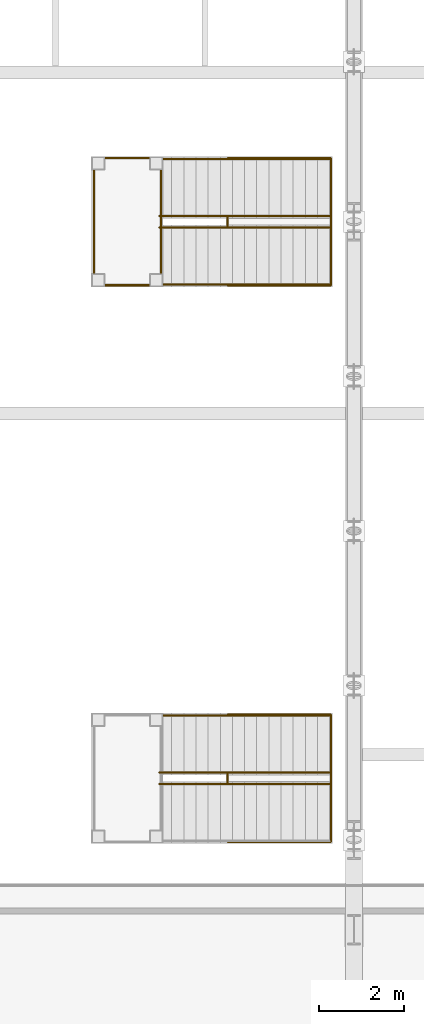
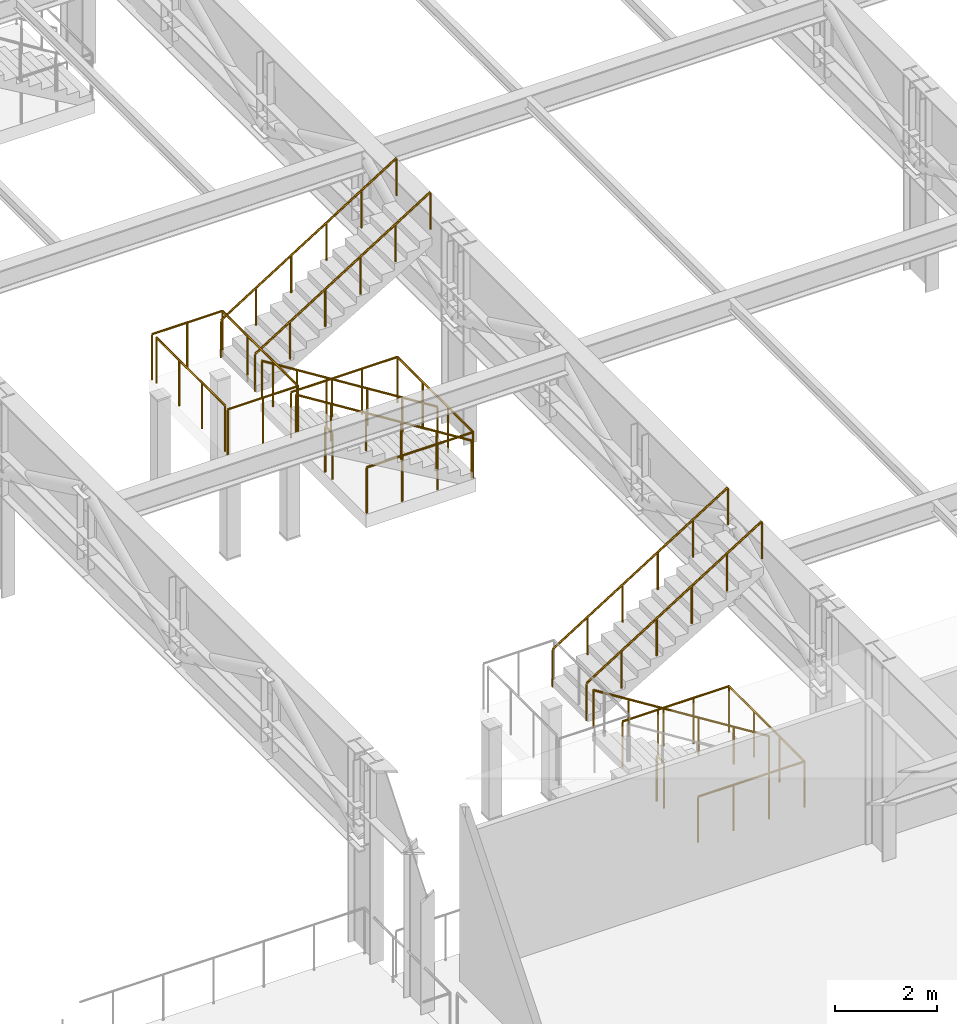
# One storey, part 122 of 143: 13 railings.
"""IFC4 building model written with IfcOpenShell, lengths in metres."""

import ifcopenshell
import ifcopenshell.guid

model = None  # the IFC model being written
_history = None  # IfcOwnerHistory: only IFC2X3 demands one
_inside = {}  # id of a spatial element -> (the spatial element, [elements in it])
_under = {}  # id of a project, library or spatial element -> (it, [spatial elements below it])
_declared = {}  # id of a project -> (the project, [libraries it declares])
_typed = {}  # id of a type object -> (the type object, [elements of that type])
_made_of = {}  # id of a material, layer set ... -> (it, [elements and type objects made of it])


def new_model(schema):
    """Start an empty IFC model of exactly this schema.

    Asked for "IFC4X3", IfcOpenShell would pick the latest addendum, in which some entities
    have other attributes; the version numbers below select the first issue.
    IFC2X3 requires an IfcOwnerHistory on every rooted entity: one is made here for all.
    """
    global model, _history
    if schema == "IFC4X3":
        model = ifcopenshell.file(schema_version=(4, 3, 0, 0))
    else:
        model = ifcopenshell.file(schema=schema)
    _inside.clear()
    _under.clear()
    _declared.clear()
    _typed.clear()
    _made_of.clear()
    _history = None
    if model.schema == "IFC2X3":
        org = make("IfcOrganization", Name="unknown")
        user = make(
            "IfcPersonAndOrganization",
            ThePerson=make("IfcPerson", FamilyName="unknown"),
            TheOrganization=org,
        )
        app = make(
            "IfcApplication",
            ApplicationDeveloper=org,
            Version="unknown",
            ApplicationFullName="unknown",
            ApplicationIdentifier="unknown",
        )
        _history = make(
            "IfcOwnerHistory",
            OwningUser=user,
            OwningApplication=app,
            ChangeAction="ADDED",
            CreationDate=0,
        )
    return model


def make(cls, **values):
    """One entity of the class cls with the attributes given. An attribute that is None is left unset."""
    return model.create_entity(
        cls, **{name: value for name, value in values.items() if value is not None}
    )


def rooted(cls, **values):
    """An entity with a GlobalId (a new one), such as an element, a storey or a relation."""
    return make(cls, GlobalId=ifcopenshell.guid.new(), OwnerHistory=_history, **values)


def si_unit(unit_type, name, prefix=None):
    """IfcSIUnit, for example si_unit("LENGTHUNIT", "METRE", prefix="MILLI")."""
    return make("IfcSIUnit", UnitType=unit_type, Prefix=prefix, Name=name)


def assignment(units):
    """IfcUnitAssignment: the units of a project."""
    return None if units is None else make("IfcUnitAssignment", Units=units)


def point(xyz):
    """IfcCartesianPoint."""
    return None if xyz is None else make("IfcCartesianPoint", Coordinates=xyz)


def direction(xyz):
    """IfcDirection."""
    return None if xyz is None else make("IfcDirection", DirectionRatios=xyz)


def frame(location, z_axis=None, x_axis=None):
    """IfcAxis2Placement3D, a coordinate frame: its origin and axes. An axis left out is left unset."""
    return make(
        "IfcAxis2Placement3D",
        Location=point(location),
        Axis=direction(z_axis),
        RefDirection=direction(x_axis),
    )


def frame_2d(location, x_axis=None):
    """IfcAxis2Placement2D, a coordinate frame in the plane: its origin and x axis."""
    return make(
        "IfcAxis2Placement2D", Location=point(location), RefDirection=direction(x_axis)
    )


def origin():
    """The frame at (0, 0, 0) with its axes left unset."""
    return frame((0.0, 0.0, 0.0))


def origin_2d():
    """The frame at (0, 0) in the plane with its x axis left unset."""
    return frame_2d((0.0, 0.0))


def place(relative_to, where):
    """IfcLocalPlacement: puts the frame where relative to a parent placement (None: the world)."""
    return make(
        "IfcLocalPlacement", PlacementRelTo=relative_to, RelativePlacement=where
    )


def context(
    kind, dimensions, precision=None, world=None, true_north=None, identifier=None
):
    """IfcGeometricRepresentationContext, for example the 3D "Model" context."""
    return make(
        "IfcGeometricRepresentationContext",
        ContextIdentifier=identifier,
        ContextType=kind,
        CoordinateSpaceDimension=dimensions,
        Precision=precision,
        WorldCoordinateSystem=world,
        TrueNorth=true_north,
    )


def subcontext(parent, identifier, kind, view, scale=None):
    """IfcGeometricRepresentationSubContext, for example "Body" below "Model"."""
    return make(
        "IfcGeometricRepresentationSubContext",
        ContextIdentifier=identifier,
        ContextType=kind,
        ParentContext=parent,
        TargetScale=scale,
        TargetView=view,
    )


def project(units=None, contexts=None):
    """IfcProject with its units and contexts."""
    return rooted(
        "IfcProject",
        Name="project",
        RepresentationContexts=contexts,
        UnitsInContext=assignment(units),
    )


def spatial(cls, under=None, at=None, **own):
    """A site, building, storey or space (cls), placed at a placement, below another one or the project."""
    s = rooted(cls, ObjectPlacement=at, **own)
    if under is not None:
        _under.setdefault(under.id(), (under, []))[1].append(s)
    return s


def profile(cls, at=None, kind="AREA", **sizes):
    """A parametric profile (cls). Its sizes go by their IFC names, for example OverallWidth=200.0."""
    return make(cls, ProfileType=kind, Position=at, **sizes)


def circle(**sizes):
    """IfcCircleProfileDef."""
    return profile("IfcCircleProfileDef", **sizes)


def extrude(swept, where, along, depth):
    """IfcExtrudedAreaSolid: the profile swept, set in the frame where, extruded along a direction by depth."""
    return make(
        "IfcExtrudedAreaSolid",
        SweptArea=swept,
        Position=where,
        ExtrudedDirection=direction(along),
        Depth=depth,
    )


def shape(context_of_items, identifier, shape_type, items):
    """IfcShapeRepresentation: the items that make up one representation, for example the "Body"."""
    return make(
        "IfcShapeRepresentation",
        ContextOfItems=context_of_items,
        RepresentationIdentifier=identifier,
        RepresentationType=shape_type,
        Items=items,
    )


def material(Name=None, Category=None):
    """IfcMaterial."""
    return make("IfcMaterial", Name=Name, Category=Category)


def made_of(thing, what):
    """Note that an element or type object is made of a material, layer set ...; save() writes the relation."""
    if what is not None:
        _made_of.setdefault(what.id(), (what, []))[1].append(thing)
    return thing


def type_object(cls, material=None, **own):
    """A type object (cls), such as IfcWallType, which elements share."""
    return made_of(rooted(cls, **own), material)


def element(
    cls,
    number,
    at=None,
    inside=None,
    cuts=None,
    type_object=None,
    material=None,
    context=None,
    identifier="Body",
    shape_type=None,
    held_by="IfcProductDefinitionShape",
    body=None,
    shapes=None,
    **own,
):
    """One element of the class cls, such as IfcWall. Its Tag is "e" and its number.

    at: its placement. inside: the storey or other place that contains it. cuts: it is an
    opening in that element (IfcRelVoidsElement). A single representation is given by context,
    identifier, shape_type and body (its items); several are given by shapes. held_by: the class
    of the entity that holds the representations. save() writes the other relations.
    """
    e = rooted(cls, Tag="e%d" % number, ObjectPlacement=at, **own)
    if body is not None:
        shapes = [shape(context, identifier, shape_type, body)]
    if shapes is not None:
        e.Representation = make(held_by, Representations=shapes)
    if inside is not None:
        _inside.setdefault(inside.id(), (inside, []))[1].append(e)
    if cuts is not None:
        rooted(
            "IfcRelVoidsElement", RelatingBuildingElement=cuts, RelatedOpeningElement=e
        )
    if type_object is not None:
        _typed.setdefault(type_object.id(), (type_object, []))[1].append(e)
    return made_of(e, material)


def aggregate(whole, parts):
    """IfcRelAggregates: a whole, such as a stair, and the parts it consists of."""
    return rooted("IfcRelAggregates", RelatingObject=whole, RelatedObjects=parts)


def save(model, path):
    """Write the relations noted so far, then the file.

    IfcRelAggregates (storeys below a building ...), IfcRelContainedInSpatialStructure (elements
    in a storey), IfcRelDefinesByType, IfcRelAssociatesMaterial and IfcRelDeclares: one each for
    every whole, place, type object, material and project.
    """
    for whole, parts in _under.values():
        aggregate(whole, parts)
    for where, things in _inside.values():
        rooted(
            "IfcRelContainedInSpatialStructure",
            RelatedElements=things,
            RelatingStructure=where,
        )
    for kind, things in _typed.values():
        rooted("IfcRelDefinesByType", RelatedObjects=things, RelatingType=kind)
    for what, things in _made_of.values():
        rooted("IfcRelAssociatesMaterial", RelatedObjects=things, RelatingMaterial=what)
    for by, libraries in _declared.values():
        rooted("IfcRelDeclares", RelatingContext=by, RelatedDefinitions=libraries)
    model.write(path)


model = new_model("IFC4")

# Units and contexts
model_context = context("Model", 3, precision=1e-05, world=origin(), true_north=direction((0.0, 1.0)))
body_context = subcontext(model_context, "Body", "Model", "MODEL_VIEW")
ifc_project = project(units=[si_unit("LENGTHUNIT", "METRE"), si_unit("AREAUNIT", "SQUARE_METRE"), si_unit("VOLUMEUNIT", "CUBIC_METRE"), si_unit("PLANEANGLEUNIT", "RADIAN"), si_unit("MASSUNIT", "GRAM", prefix="KILO")], contexts=[model_context])

# Site, building, storey
site_placement = place(None, origin())
site = spatial("IfcSite", under=ifc_project, at=site_placement, CompositionType="ELEMENT")
building_placement = place(site_placement, origin())
building = spatial("IfcBuilding", under=site, at=building_placement, Name="Marlcrest Central Station", CompositionType="ELEMENT")
storey_placement = place(building_placement, frame((0.0, 0.0, 4.800048828125)))
storey = spatial("IfcBuildingStorey", under=building, at=storey_placement, Name="L01", CompositionType="ELEMENT", Elevation=4.800048828125)

# Railings
ifc_material_1 = material(Name="Stainless steel and laminated glass concourse balustrade", Category="steel")
railing_type_1 = type_object("IfcRailingType", Name="GR-02", PredefinedType="BALUSTRADE", material=ifc_material_1)
railing_1_placement = place(storey_placement, frame((94.5400390625, 36.4599609375, 0.0)))
element("IfcRailing", 1, at=railing_1_placement, inside=storey, type_object=railing_type_1, Name="hr-L01-00001", PredefinedType="BALUSTRADE", context=body_context, shape_type="SweptSolid", body=[
    extrude(circle(Radius=0.02392578125, at=origin_2d()), frame((0.0, 0.0, 1.09619140625), z_axis=(1.0, 0.0, 0.0), x_axis=(0.0, 1.0, 0.0)), (0.0, 0.0, 1.0), 2.419921875),
    extrude(circle(Radius=0.02392578125, at=origin_2d()), frame((2.419921875, 0.0, 1.09619140625), z_axis=(0.0, 1.0, 0.0), x_axis=(-1.0, 0.0, 0.0)), (0.0, 0.0, 1.0), 2.97998046875),
    extrude(circle(Radius=0.02392578125, at=origin_2d()), frame((2.419921875, 2.97998046875, 1.09619140625), z_axis=(-1.0, 0.0, 0.0), x_axis=(0.0, -1.0, 0.0)), (0.0, 0.0, 1.0), 2.419921875),
    extrude(circle(Radius=0.02099609375, at=origin_2d()), origin(), (0.0, 0.0, 1.0), 1.072021484375),
    extrude(circle(Radius=0.02099609375, at=origin_2d()), frame((0.806640625, 0.0, 0.0)), (0.0, 0.0, 1.0), 1.072021484375),
    extrude(circle(Radius=0.02099609375, at=origin_2d()), frame((1.61328125, 0.0, 0.0)), (0.0, 0.0, 1.0), 1.072021484375),
    extrude(circle(Radius=0.02099609375, at=origin_2d()), frame((2.419921875, 0.0, 0.0)), (0.0, 0.0, 1.0), 1.072021484375),
    extrude(circle(Radius=0.02099609375, at=origin_2d()), frame((2.419921875, 0.993408203125, 0.0)), (0.0, 0.0, 1.0), 1.072021484375),
    extrude(circle(Radius=0.02099609375, at=origin_2d()), frame((2.419921875, 1.986572265625, 0.0)), (0.0, 0.0, 1.0), 1.072021484375),
    extrude(circle(Radius=0.02099609375, at=origin_2d()), frame((2.419921875, 2.97998046875, 0.0)), (0.0, 0.0, 1.0), 1.072021484375),
    extrude(circle(Radius=0.02099609375, at=origin_2d()), frame((1.61328125, 2.97998046875, 0.0)), (0.0, 0.0, 1.0), 1.072021484375),
    extrude(circle(Radius=0.02099609375, at=origin_2d()), frame((0.806640625, 2.97998046875, 0.0)), (0.0, 0.0, 1.0), 1.072021484375),
    extrude(circle(Radius=0.02099609375, at=origin_2d()), frame((0.0, 2.97998046875, 0.0)), (0.0, 0.0, 1.0), 1.072021484375),
])
railing_2_placement = place(storey_placement, frame((94.5400390625, 37.81005859375, 0.0)))
element("IfcRailing", 2, at=railing_2_placement, inside=storey, type_object=railing_type_1, Name="hr-L01-00002", PredefinedType="BALUSTRADE", context=body_context, shape_type="SweptSolid", body=[
    extrude(circle(Radius=0.02392578125, at=origin_2d()), frame((0.0, 0.0, 1.09619140625), z_axis=(0.0, 1.0, 0.0), x_axis=(-1.0, 0.0, 0.0)), (0.0, 0.0, 1.0), 0.280029296875),
    extrude(circle(Radius=0.02099609375, at=origin_2d()), origin(), (0.0, 0.0, 1.0), 1.072021484375),
    extrude(circle(Radius=0.02099609375, at=origin_2d()), frame((0.0, 0.280029296875, 0.0)), (0.0, 0.0, 1.0), 1.072021484375),
])
railing_3_placement = place(storey_placement, frame((94.5400390625, 49.510009765625, 0.0)))
element("IfcRailing", 3, at=railing_3_placement, inside=storey, type_object=railing_type_1, Name="hr-L01-00035", PredefinedType="BALUSTRADE", context=body_context, shape_type="SweptSolid", body=[
    extrude(circle(Radius=0.02392578125, at=origin_2d()), frame((0.0, 0.0, 1.09619140625), z_axis=(1.0, 0.0, 0.0), x_axis=(0.0, 1.0, 0.0)), (0.0, 0.0, 1.0), 2.419921875),
    extrude(circle(Radius=0.02392578125, at=origin_2d()), frame((2.419921875, 0.0, 1.09619140625), z_axis=(0.0, 1.0, 0.0), x_axis=(-1.0, 0.0, 0.0)), (0.0, 0.0, 1.0), 2.97998046875),
    extrude(circle(Radius=0.02392578125, at=origin_2d()), frame((2.419921875, 2.97998046875, 1.09619140625), z_axis=(-1.0, 0.0, 0.0), x_axis=(0.0, -1.0, 0.0)), (0.0, 0.0, 1.0), 2.419921875),
    extrude(circle(Radius=0.02099609375, at=origin_2d()), origin(), (0.0, 0.0, 1.0), 1.072021484375),
    extrude(circle(Radius=0.02099609375, at=origin_2d()), frame((0.806640625, 0.0, 0.0)), (0.0, 0.0, 1.0), 1.072021484375),
    extrude(circle(Radius=0.02099609375, at=origin_2d()), frame((1.61328125, 0.0, 0.0)), (0.0, 0.0, 1.0), 1.072021484375),
    extrude(circle(Radius=0.02099609375, at=origin_2d()), frame((2.419921875, 0.0, 0.0)), (0.0, 0.0, 1.0), 1.072021484375),
    extrude(circle(Radius=0.02099609375, at=origin_2d()), frame((2.419921875, 0.993408203125, 0.0)), (0.0, 0.0, 1.0), 1.072021484375),
    extrude(circle(Radius=0.02099609375, at=origin_2d()), frame((2.419921875, 1.986572265625, 0.0)), (0.0, 0.0, 1.0), 1.072021484375),
    extrude(circle(Radius=0.02099609375, at=origin_2d()), frame((2.419921875, 2.97998046875, 0.0)), (0.0, 0.0, 1.0), 1.072021484375),
    extrude(circle(Radius=0.02099609375, at=origin_2d()), frame((1.61328125, 2.97998046875, 0.0)), (0.0, 0.0, 1.0), 1.072021484375),
    extrude(circle(Radius=0.02099609375, at=origin_2d()), frame((0.806640625, 2.97998046875, 0.0)), (0.0, 0.0, 1.0), 1.072021484375),
    extrude(circle(Radius=0.02099609375, at=origin_2d()), frame((0.0, 2.97998046875, 0.0)), (0.0, 0.0, 1.0), 1.072021484375),
])
railing_4_placement = place(storey_placement, frame((94.5400390625, 50.860107421875, 0.0)))
element("IfcRailing", 4, at=railing_4_placement, inside=storey, type_object=railing_type_1, Name="hr-L01-00036", PredefinedType="BALUSTRADE", context=body_context, shape_type="SweptSolid", body=[
    extrude(circle(Radius=0.02392578125, at=origin_2d()), frame((0.0, 0.0, 1.09619140625), z_axis=(0.0, 1.0, 0.0), x_axis=(-1.0, 0.0, 0.0)), (0.0, 0.0, 1.0), 0.27978515625),
    extrude(circle(Radius=0.02099609375, at=origin_2d()), origin(), (0.0, 0.0, 1.0), 1.072021484375),
    extrude(circle(Radius=0.02099609375, at=origin_2d()), frame((0.0, 0.27978515625, 0.0)), (0.0, 0.0, 1.0), 1.072021484375),
])
railing_5_placement = place(storey_placement, frame((91.3798828125, 49.510009765625, 2.5)))
element("IfcRailing", 5, at=railing_5_placement, inside=storey, type_object=railing_type_1, Name="hr-L01-00050", PredefinedType="BALUSTRADE", context=body_context, shape_type="SweptSolid", body=[
    extrude(circle(Radius=0.02392578125, at=origin_2d()), frame((0.0, 0.0, 1.09619140625), z_axis=(1.0, 0.0, 0.0), x_axis=(0.0, 1.0, 0.0)), (0.0, 0.0, 1.0), 1.60009765625),
    extrude(circle(Radius=0.02392578125, at=origin_2d()), frame((1.60009765625, 0.0, 1.09619140625), z_axis=(0.0, 1.0, 0.0), x_axis=(-1.0, 0.0, 0.0)), (0.0, 0.0, 1.0), 2.97998046875),
    extrude(circle(Radius=0.02392578125, at=origin_2d()), frame((1.60009765625, 2.97998046875, 1.09619140625), z_axis=(-1.0, 0.0, 0.0), x_axis=(0.0, -1.0, 0.0)), (0.0, 0.0, 1.0), 1.60009765625),
    extrude(circle(Radius=0.02099609375, at=origin_2d()), origin(), (0.0, 0.0, 1.0), 1.072021484375),
    extrude(circle(Radius=0.02099609375, at=origin_2d()), frame((0.800048828125, 0.0, 0.0)), (0.0, 0.0, 1.0), 1.072021484375),
    extrude(circle(Radius=0.02099609375, at=origin_2d()), frame((1.60009765625, 0.0, 0.0)), (0.0, 0.0, 1.0), 1.072021484375),
    extrude(circle(Radius=0.02099609375, at=origin_2d()), frame((1.60009765625, 0.993408203125, 0.0)), (0.0, 0.0, 1.0), 1.072021484375),
    extrude(circle(Radius=0.02099609375, at=origin_2d()), frame((1.60009765625, 1.986572265625, 0.0)), (0.0, 0.0, 1.0), 1.072021484375),
    extrude(circle(Radius=0.02099609375, at=origin_2d()), frame((1.60009765625, 2.97998046875, 0.0)), (0.0, 0.0, 1.0), 1.072021484375),
    extrude(circle(Radius=0.02099609375, at=origin_2d()), frame((0.800048828125, 2.97998046875, 0.0)), (0.0, 0.0, 1.0), 1.072021484375),
    extrude(circle(Radius=0.02099609375, at=origin_2d()), frame((0.0, 2.97998046875, 0.0)), (0.0, 0.0, 1.0), 1.072021484375),
])
railing_6_placement = place(storey_placement, frame((91.39990234375, 49.64990234375, 2.5)))
element("IfcRailing", 6, at=railing_6_placement, inside=storey, type_object=railing_type_1, Name="hr-L01-00574", PredefinedType="BALUSTRADE", context=body_context, shape_type="SweptSolid", body=[
    extrude(circle(Radius=0.02392578125, at=origin_2d()), frame((0.0, 0.0, 1.09619140625), z_axis=(0.0, 1.0, 0.0), x_axis=(-1.0, 0.0, 0.0)), (0.0, 0.0, 1.0), 2.7001953125),
    extrude(circle(Radius=0.02099609375, at=origin_2d()), origin(), (0.0, 0.0, 1.0), 1.072021484375),
    extrude(circle(Radius=0.02099609375, at=origin_2d()), frame((0.0, 0.900146484375, 0.0)), (0.0, 0.0, 1.0), 1.072021484375),
    extrude(circle(Radius=0.02099609375, at=origin_2d()), frame((0.0, 1.800048828125, 0.0)), (0.0, 0.0, 1.0), 1.072021484375),
    extrude(circle(Radius=0.02099609375, at=origin_2d()), frame((0.0, 2.7001953125, 0.0)), (0.0, 0.0, 1.0), 1.072021484375),
])
ifc_material_2 = material(Name="Brushed stainless steel handrail", Category="steel")
railing_type_2 = type_object("IfcRailingType", Name="HR-01", PredefinedType="HANDRAIL", material=ifc_material_2)
railing_7_placement = place(storey_placement, frame((92.93994140625, 38.0849609375, 2.5)))
element("IfcRailing", 7, at=railing_7_placement, inside=storey, type_object=railing_type_2, Name="hr-L01-00013", PredefinedType="HANDRAIL", context=body_context, shape_type="SweptSolid", body=[
    extrude(circle(Radius=0.02392578125, at=origin_2d()), frame((0.0, 0.0, 0.89599609375), z_axis=(0.847400605549, 0.0, 0.530954059892), x_axis=(0.0, 1.0, 0.0)), (0.0, 0.0, 1.0), 4.70849609375),
    extrude(circle(Radius=0.02099609375, at=origin_2d()), origin(), (0.0, 0.0, 1.0), 0.871826171875),
    extrude(circle(Radius=0.02099609375, at=origin_2d()), frame((0.798095703125, 0.0, 0.5)), (0.0, 0.0, 1.0), 0.871826171875),
    extrude(circle(Radius=0.02099609375, at=origin_2d()), frame((1.595947265625, 0.0, 1.0)), (0.0, 0.0, 1.0), 0.871826171875),
    extrude(circle(Radius=0.02099609375, at=origin_2d()), frame((2.39404296875, 0.0, 1.5)), (0.0, 0.0, 1.0), 0.871826171875),
    extrude(circle(Radius=0.02099609375, at=origin_2d()), frame((3.19189453125, 0.0, 2.0)), (0.0, 0.0, 1.0), 0.871826171875),
    extrude(circle(Radius=0.02099609375, at=origin_2d()), frame((3.989990234375, 0.0, 2.5)), (0.0, 0.0, 1.0), 0.871826171875),
])
railing_8_placement = place(storey_placement, frame((96.929931640625, 37.81494140625, 0.0)))
element("IfcRailing", 8, at=railing_8_placement, inside=storey, type_object=railing_type_2, Name="hr-L01-00014", PredefinedType="HANDRAIL", context=body_context, shape_type="SweptSolid", body=[
    extrude(circle(Radius=0.02392578125, at=origin_2d()), frame((0.0, 0.0, 0.89599609375), z_axis=(-0.847400605549, 0.0, 0.530954059892), x_axis=(0.0, -1.0, 0.0)), (0.0, 0.0, 1.0), 4.70849609375),
    extrude(circle(Radius=0.02099609375, at=origin_2d()), origin(), (0.0, 0.0, 1.0), 0.871826171875),
    extrude(circle(Radius=0.02099609375, at=origin_2d()), frame((-0.798095703125, 0.0, 0.5)), (0.0, 0.0, 1.0), 0.871826171875),
    extrude(circle(Radius=0.02099609375, at=origin_2d()), frame((-1.595947265625, 0.0, 1.0)), (0.0, 0.0, 1.0), 0.871826171875),
    extrude(circle(Radius=0.02099609375, at=origin_2d()), frame((-2.39404296875, 0.0, 1.5)), (0.0, 0.0, 1.0), 0.871826171875),
    extrude(circle(Radius=0.02099609375, at=origin_2d()), frame((-3.19189453125, 0.0, 2.0)), (0.0, 0.0, 1.0), 0.871826171875),
    extrude(circle(Radius=0.02099609375, at=origin_2d()), frame((-3.989990234375, 0.0, 2.5)), (0.0, 0.0, 1.0), 0.871826171875),
])
railing_9_placement = place(storey_placement, frame((92.93994140625, 39.425048828125, 2.5)))
element("IfcRailing", 9, at=railing_9_placement, inside=storey, type_object=railing_type_2, Name="hr-L01-00015", PredefinedType="HANDRAIL", context=body_context, shape_type="SweptSolid", body=[
    extrude(circle(Radius=0.02392578125, at=origin_2d()), frame((0.0, 0.0, 0.89599609375), z_axis=(0.847400605549, 0.0, 0.530954059892), x_axis=(0.0, 1.0, 0.0)), (0.0, 0.0, 1.0), 4.70849609375),
    extrude(circle(Radius=0.02099609375, at=origin_2d()), origin(), (0.0, 0.0, 1.0), 0.871826171875),
    extrude(circle(Radius=0.02099609375, at=origin_2d()), frame((0.798095703125, 0.0, 0.5)), (0.0, 0.0, 1.0), 0.871826171875),
    extrude(circle(Radius=0.02099609375, at=origin_2d()), frame((1.595947265625, 0.0, 1.0)), (0.0, 0.0, 1.0), 0.871826171875),
    extrude(circle(Radius=0.02099609375, at=origin_2d()), frame((2.39404296875, 0.0, 1.5)), (0.0, 0.0, 1.0), 0.871826171875),
    extrude(circle(Radius=0.02099609375, at=origin_2d()), frame((3.19189453125, 0.0, 2.0)), (0.0, 0.0, 1.0), 0.871826171875),
    extrude(circle(Radius=0.02099609375, at=origin_2d()), frame((3.989990234375, 0.0, 2.5)), (0.0, 0.0, 1.0), 0.871826171875),
])
railing_10_placement = place(storey_placement, frame((96.929931640625, 49.52490234375, 0.0)))
element("IfcRailing", 10, at=railing_10_placement, inside=storey, type_object=railing_type_2, Name="hr-L01-00046", PredefinedType="HANDRAIL", context=body_context, shape_type="SweptSolid", body=[
    extrude(circle(Radius=0.02392578125, at=origin_2d()), frame((0.0, 0.0, 0.89599609375), z_axis=(-0.847400605549, 0.0, 0.530954059892), x_axis=(0.0, -1.0, 0.0)), (0.0, 0.0, 1.0), 4.70849609375),
    extrude(circle(Radius=0.02099609375, at=origin_2d()), origin(), (0.0, 0.0, 1.0), 0.871826171875),
    extrude(circle(Radius=0.02099609375, at=origin_2d()), frame((-0.798095703125, 0.0, 0.5)), (0.0, 0.0, 1.0), 0.871826171875),
    extrude(circle(Radius=0.02099609375, at=origin_2d()), frame((-1.595947265625, 0.0, 1.0)), (0.0, 0.0, 1.0), 0.871826171875),
    extrude(circle(Radius=0.02099609375, at=origin_2d()), frame((-2.39404296875, 0.0, 1.5)), (0.0, 0.0, 1.0), 0.871826171875),
    extrude(circle(Radius=0.02099609375, at=origin_2d()), frame((-3.19189453125, 0.0, 2.0)), (0.0, 0.0, 1.0), 0.871826171875),
    extrude(circle(Radius=0.02099609375, at=origin_2d()), frame((-3.989990234375, 0.0, 2.5)), (0.0, 0.0, 1.0), 0.871826171875),
])
railing_11_placement = place(storey_placement, frame((92.93994140625, 51.135009765625, 2.5)))
element("IfcRailing", 11, at=railing_11_placement, inside=storey, type_object=railing_type_2, Name="hr-L01-00047", PredefinedType="HANDRAIL", context=body_context, shape_type="SweptSolid", body=[
    extrude(circle(Radius=0.02392578125, at=origin_2d()), frame((0.0, 0.0, 0.89599609375), z_axis=(0.847400605549, 0.0, 0.530954059892), x_axis=(0.0, 1.0, 0.0)), (0.0, 0.0, 1.0), 4.70849609375),
    extrude(circle(Radius=0.02099609375, at=origin_2d()), origin(), (0.0, 0.0, 1.0), 0.871826171875),
    extrude(circle(Radius=0.02099609375, at=origin_2d()), frame((0.798095703125, 0.0, 0.5)), (0.0, 0.0, 1.0), 0.871826171875),
    extrude(circle(Radius=0.02099609375, at=origin_2d()), frame((1.595947265625, 0.0, 1.0)), (0.0, 0.0, 1.0), 0.871826171875),
    extrude(circle(Radius=0.02099609375, at=origin_2d()), frame((2.39404296875, 0.0, 1.5)), (0.0, 0.0, 1.0), 0.871826171875),
    extrude(circle(Radius=0.02099609375, at=origin_2d()), frame((3.19189453125, 0.0, 2.0)), (0.0, 0.0, 1.0), 0.871826171875),
    extrude(circle(Radius=0.02099609375, at=origin_2d()), frame((3.989990234375, 0.0, 2.5)), (0.0, 0.0, 1.0), 0.871826171875),
])
railing_12_placement = place(storey_placement, frame((96.929931640625, 50.864990234375, 0.0)))
element("IfcRailing", 12, at=railing_12_placement, inside=storey, type_object=railing_type_2, Name="hr-L01-00048", PredefinedType="HANDRAIL", context=body_context, shape_type="SweptSolid", body=[
    extrude(circle(Radius=0.02392578125, at=origin_2d()), frame((0.0, 0.0, 0.89599609375), z_axis=(-0.847400605549, 0.0, 0.530954059892), x_axis=(0.0, -1.0, 0.0)), (0.0, 0.0, 1.0), 4.70849609375),
    extrude(circle(Radius=0.02099609375, at=origin_2d()), origin(), (0.0, 0.0, 1.0), 0.871826171875),
    extrude(circle(Radius=0.02099609375, at=origin_2d()), frame((-0.798095703125, 0.0, 0.5)), (0.0, 0.0, 1.0), 0.871826171875),
    extrude(circle(Radius=0.02099609375, at=origin_2d()), frame((-1.595947265625, 0.0, 1.0)), (0.0, 0.0, 1.0), 0.871826171875),
    extrude(circle(Radius=0.02099609375, at=origin_2d()), frame((-2.39404296875, 0.0, 1.5)), (0.0, 0.0, 1.0), 0.871826171875),
    extrude(circle(Radius=0.02099609375, at=origin_2d()), frame((-3.19189453125, 0.0, 2.0)), (0.0, 0.0, 1.0), 0.871826171875),
    extrude(circle(Radius=0.02099609375, at=origin_2d()), frame((-3.989990234375, 0.0, 2.5)), (0.0, 0.0, 1.0), 0.871826171875),
])
railing_13_placement = place(storey_placement, frame((92.93994140625, 52.47509765625, 2.5)))
element("IfcRailing", 13, at=railing_13_placement, inside=storey, type_object=railing_type_2, Name="hr-L01-00049", PredefinedType="HANDRAIL", context=body_context, shape_type="SweptSolid", body=[
    extrude(circle(Radius=0.02392578125, at=origin_2d()), frame((0.0, 0.0, 0.89599609375), z_axis=(0.847400605549, 0.0, 0.530954059892), x_axis=(0.0, 1.0, 0.0)), (0.0, 0.0, 1.0), 4.70849609375),
    extrude(circle(Radius=0.02099609375, at=origin_2d()), origin(), (0.0, 0.0, 1.0), 0.871826171875),
    extrude(circle(Radius=0.02099609375, at=origin_2d()), frame((0.798095703125, 0.0, 0.5)), (0.0, 0.0, 1.0), 0.871826171875),
    extrude(circle(Radius=0.02099609375, at=origin_2d()), frame((1.595947265625, 0.0, 1.0)), (0.0, 0.0, 1.0), 0.871826171875),
    extrude(circle(Radius=0.02099609375, at=origin_2d()), frame((2.39404296875, 0.0, 1.5)), (0.0, 0.0, 1.0), 0.871826171875),
    extrude(circle(Radius=0.02099609375, at=origin_2d()), frame((3.19189453125, 0.0, 2.0)), (0.0, 0.0, 1.0), 0.871826171875),
    extrude(circle(Radius=0.02099609375, at=origin_2d()), frame((3.989990234375, 0.0, 2.5)), (0.0, 0.0, 1.0), 0.871826171875),
])

save(model, "model.ifc")
